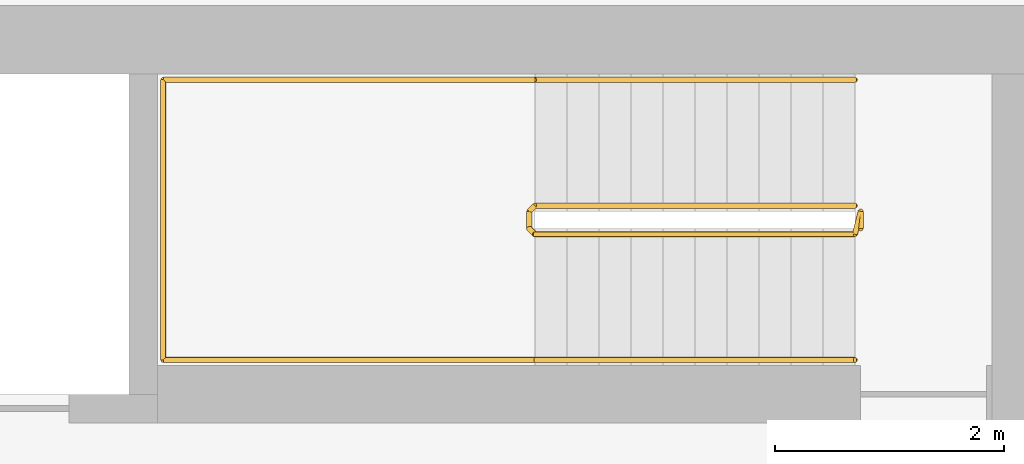
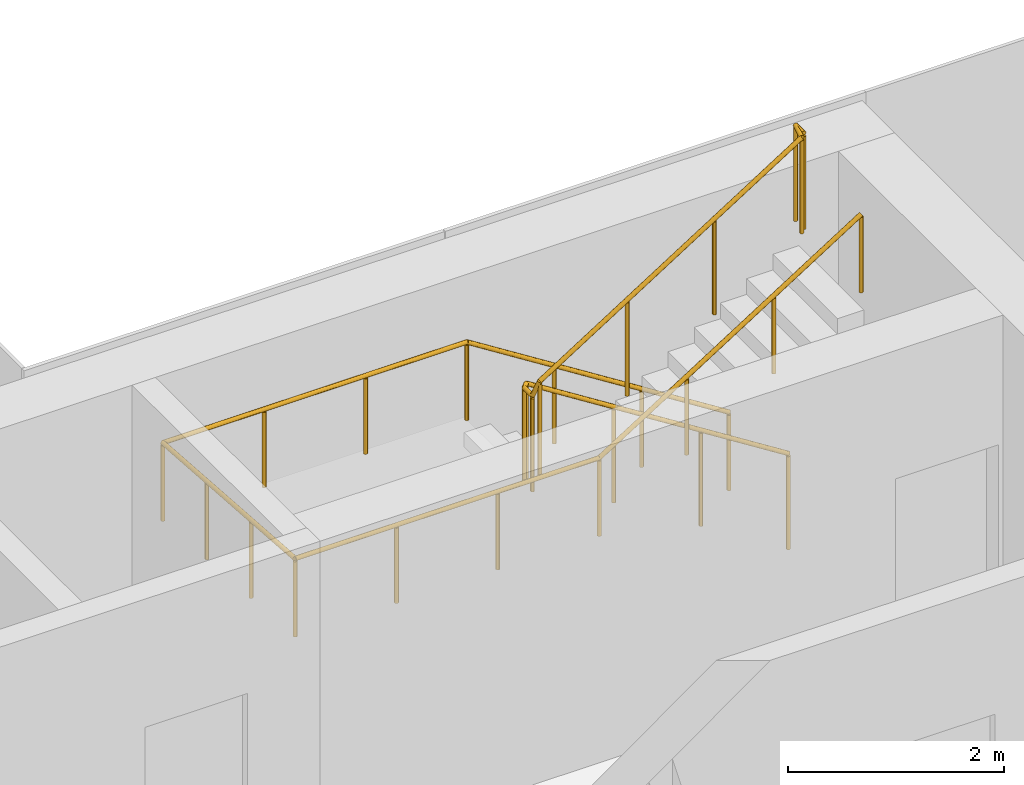
# One storey, part 18 of 18: 2 railings.
"""IFC4 building model written with IfcOpenShell, lengths in metres."""

import ifcopenshell
import ifcopenshell.guid

model = None  # the IFC model being written
_history = None  # IfcOwnerHistory: only IFC2X3 demands one
_inside = {}  # id of a spatial element -> (the spatial element, [elements in it])
_under = {}  # id of a project, library or spatial element -> (it, [spatial elements below it])
_declared = {}  # id of a project -> (the project, [libraries it declares])
_typed = {}  # id of a type object -> (the type object, [elements of that type])
_made_of = {}  # id of a material, layer set ... -> (it, [elements and type objects made of it])


def new_model(schema):
    """Start an empty IFC model of exactly this schema.

    Asked for "IFC4X3", IfcOpenShell would pick the latest addendum, in which some entities
    have other attributes; the version numbers below select the first issue.
    IFC2X3 requires an IfcOwnerHistory on every rooted entity: one is made here for all.
    """
    global model, _history
    if schema == "IFC4X3":
        model = ifcopenshell.file(schema_version=(4, 3, 0, 0))
    else:
        model = ifcopenshell.file(schema=schema)
    _inside.clear()
    _under.clear()
    _declared.clear()
    _typed.clear()
    _made_of.clear()
    _history = None
    if model.schema == "IFC2X3":
        org = make("IfcOrganization", Name="unknown")
        user = make(
            "IfcPersonAndOrganization",
            ThePerson=make("IfcPerson", FamilyName="unknown"),
            TheOrganization=org,
        )
        app = make(
            "IfcApplication",
            ApplicationDeveloper=org,
            Version="unknown",
            ApplicationFullName="unknown",
            ApplicationIdentifier="unknown",
        )
        _history = make(
            "IfcOwnerHistory",
            OwningUser=user,
            OwningApplication=app,
            ChangeAction="ADDED",
            CreationDate=0,
        )
    return model


def make(cls, **values):
    """One entity of the class cls with the attributes given. An attribute that is None is left unset."""
    return model.create_entity(
        cls, **{name: value for name, value in values.items() if value is not None}
    )


def rooted(cls, **values):
    """An entity with a GlobalId (a new one), such as an element, a storey or a relation."""
    return make(cls, GlobalId=ifcopenshell.guid.new(), OwnerHistory=_history, **values)


def si_unit(unit_type, name, prefix=None):
    """IfcSIUnit, for example si_unit("LENGTHUNIT", "METRE", prefix="MILLI")."""
    return make("IfcSIUnit", UnitType=unit_type, Prefix=prefix, Name=name)


def assignment(units):
    """IfcUnitAssignment: the units of a project."""
    return None if units is None else make("IfcUnitAssignment", Units=units)


def point(xyz):
    """IfcCartesianPoint."""
    return None if xyz is None else make("IfcCartesianPoint", Coordinates=xyz)


def direction(xyz):
    """IfcDirection."""
    return None if xyz is None else make("IfcDirection", DirectionRatios=xyz)


def frame(location, z_axis=None, x_axis=None):
    """IfcAxis2Placement3D, a coordinate frame: its origin and axes. An axis left out is left unset."""
    return make(
        "IfcAxis2Placement3D",
        Location=point(location),
        Axis=direction(z_axis),
        RefDirection=direction(x_axis),
    )


def frame_2d(location, x_axis=None):
    """IfcAxis2Placement2D, a coordinate frame in the plane: its origin and x axis."""
    return make(
        "IfcAxis2Placement2D", Location=point(location), RefDirection=direction(x_axis)
    )


def origin():
    """The frame at (0, 0, 0) with its axes left unset."""
    return frame((0.0, 0.0, 0.0))


def origin_2d():
    """The frame at (0, 0) in the plane with its x axis left unset."""
    return frame_2d((0.0, 0.0))


def place(relative_to, where):
    """IfcLocalPlacement: puts the frame where relative to a parent placement (None: the world)."""
    return make(
        "IfcLocalPlacement", PlacementRelTo=relative_to, RelativePlacement=where
    )


def context(
    kind, dimensions, precision=None, world=None, true_north=None, identifier=None
):
    """IfcGeometricRepresentationContext, for example the 3D "Model" context."""
    return make(
        "IfcGeometricRepresentationContext",
        ContextIdentifier=identifier,
        ContextType=kind,
        CoordinateSpaceDimension=dimensions,
        Precision=precision,
        WorldCoordinateSystem=world,
        TrueNorth=true_north,
    )


def subcontext(parent, identifier, kind, view, scale=None):
    """IfcGeometricRepresentationSubContext, for example "Body" below "Model"."""
    return make(
        "IfcGeometricRepresentationSubContext",
        ContextIdentifier=identifier,
        ContextType=kind,
        ParentContext=parent,
        TargetScale=scale,
        TargetView=view,
    )


def project(units=None, contexts=None):
    """IfcProject with its units and contexts."""
    return rooted(
        "IfcProject",
        Name="project",
        RepresentationContexts=contexts,
        UnitsInContext=assignment(units),
    )


def spatial(cls, under=None, at=None, **own):
    """A site, building, storey or space (cls), placed at a placement, below another one or the project."""
    s = rooted(cls, ObjectPlacement=at, **own)
    if under is not None:
        _under.setdefault(under.id(), (under, []))[1].append(s)
    return s


def profile(cls, at=None, kind="AREA", **sizes):
    """A parametric profile (cls). Its sizes go by their IFC names, for example OverallWidth=200.0."""
    return make(cls, ProfileType=kind, Position=at, **sizes)


def circle(**sizes):
    """IfcCircleProfileDef."""
    return profile("IfcCircleProfileDef", **sizes)


def extrude(swept, where, along, depth):
    """IfcExtrudedAreaSolid: the profile swept, set in the frame where, extruded along a direction by depth."""
    return make(
        "IfcExtrudedAreaSolid",
        SweptArea=swept,
        Position=where,
        ExtrudedDirection=direction(along),
        Depth=depth,
    )


def shape(context_of_items, identifier, shape_type, items):
    """IfcShapeRepresentation: the items that make up one representation, for example the "Body"."""
    return make(
        "IfcShapeRepresentation",
        ContextOfItems=context_of_items,
        RepresentationIdentifier=identifier,
        RepresentationType=shape_type,
        Items=items,
    )


def material(Name=None, Category=None):
    """IfcMaterial."""
    return make("IfcMaterial", Name=Name, Category=Category)


def made_of(thing, what):
    """Note that an element or type object is made of a material, layer set ...; save() writes the relation."""
    if what is not None:
        _made_of.setdefault(what.id(), (what, []))[1].append(thing)
    return thing


def type_object(cls, material=None, **own):
    """A type object (cls), such as IfcWallType, which elements share."""
    return made_of(rooted(cls, **own), material)


def element(
    cls,
    number,
    at=None,
    inside=None,
    cuts=None,
    type_object=None,
    material=None,
    context=None,
    identifier="Body",
    shape_type=None,
    held_by="IfcProductDefinitionShape",
    body=None,
    shapes=None,
    **own,
):
    """One element of the class cls, such as IfcWall. Its Tag is "e" and its number.

    at: its placement. inside: the storey or other place that contains it. cuts: it is an
    opening in that element (IfcRelVoidsElement). A single representation is given by context,
    identifier, shape_type and body (its items); several are given by shapes. held_by: the class
    of the entity that holds the representations. save() writes the other relations.
    """
    e = rooted(cls, Tag="e%d" % number, ObjectPlacement=at, **own)
    if body is not None:
        shapes = [shape(context, identifier, shape_type, body)]
    if shapes is not None:
        e.Representation = make(held_by, Representations=shapes)
    if inside is not None:
        _inside.setdefault(inside.id(), (inside, []))[1].append(e)
    if cuts is not None:
        rooted(
            "IfcRelVoidsElement", RelatingBuildingElement=cuts, RelatedOpeningElement=e
        )
    if type_object is not None:
        _typed.setdefault(type_object.id(), (type_object, []))[1].append(e)
    return made_of(e, material)


def aggregate(whole, parts):
    """IfcRelAggregates: a whole, such as a stair, and the parts it consists of."""
    return rooted("IfcRelAggregates", RelatingObject=whole, RelatedObjects=parts)


def save(model, path):
    """Write the relations noted so far, then the file.

    IfcRelAggregates (storeys below a building ...), IfcRelContainedInSpatialStructure (elements
    in a storey), IfcRelDefinesByType, IfcRelAssociatesMaterial and IfcRelDeclares: one each for
    every whole, place, type object, material and project.
    """
    for whole, parts in _under.values():
        aggregate(whole, parts)
    for where, things in _inside.values():
        rooted(
            "IfcRelContainedInSpatialStructure",
            RelatedElements=things,
            RelatingStructure=where,
        )
    for kind, things in _typed.values():
        rooted("IfcRelDefinesByType", RelatedObjects=things, RelatingType=kind)
    for what, things in _made_of.values():
        rooted("IfcRelAssociatesMaterial", RelatedObjects=things, RelatingMaterial=what)
    for by, libraries in _declared.values():
        rooted("IfcRelDeclares", RelatingContext=by, RelatedDefinitions=libraries)
    model.write(path)


model = new_model("IFC4")

# Units and contexts
model_context = context("Model", 3, precision=1e-05, world=origin(), true_north=direction((0.0, 1.0)))
body_context = subcontext(model_context, "Body", "Model", "MODEL_VIEW")
ifc_project = project(units=[si_unit("LENGTHUNIT", "METRE"), si_unit("AREAUNIT", "SQUARE_METRE"), si_unit("VOLUMEUNIT", "CUBIC_METRE"), si_unit("PLANEANGLEUNIT", "RADIAN"), si_unit("MASSUNIT", "GRAM", prefix="KILO")], contexts=[model_context])

# Site, building, storey
site_placement = place(None, origin())
site = spatial("IfcSite", under=ifc_project, at=site_placement, CompositionType="ELEMENT")
building_placement = place(site_placement, origin())
building = spatial("IfcBuilding", under=site, at=building_placement, Name="Shamsa Quay Exchange Towers", CompositionType="ELEMENT")
storey_placement = place(building_placement, frame((0.0, 0.0, 113.10009765625)))
storey = spatial("IfcBuildingStorey", under=building, at=storey_placement, Name="L26", CompositionType="ELEMENT", Elevation=113.10009765625)

# Railings
ifc_material = material(Name="Stainless steel", Category="steel")
railing_type_1 = type_object("IfcRailingType", Name="STAIR GUARD 1100", PredefinedType="GUARDRAIL", material=ifc_material)
railing_1_placement = place(storey_placement, frame((52.10009765625, 4.89990234375, 0.17724609375)))
element("IfcRailing", 1, at=railing_1_placement, inside=storey, type_object=railing_type_1, Name="L26 ST6 stair guard 1", PredefinedType="GUARDRAIL", context=body_context, shape_type="SweptSolid", body=[
    extrude(circle(Radius=0.02392578125, at=origin_2d()), frame((0.0, 0.0, 1.076171875), z_axis=(-0.844908973607, 0.0, 0.534910110503), x_axis=(0.0, -1.0, 0.0)), (0.0, 0.0, 1.0), 3.31396484375),
    extrude(circle(Radius=0.02392578125, at=origin_2d()), frame((-2.800048828125, 0.0, 2.8486328125), z_axis=(-0.708833529934, -0.705375805398, 0.0), x_axis=(0.705375805398, -0.708833529934, 0.0)), (0.0, 0.0, 1.0), 0.070556640625),
    extrude(circle(Radius=0.02392578125, at=origin_2d()), frame((-2.85009765625, -0.0498046875, 2.8486328125), z_axis=(0.0, -1.0, 0.0), x_axis=(1.0, 0.0, 0.0)), (0.0, 0.0, 1.0), 0.150146484375),
    extrude(circle(Radius=0.02392578125, at=origin_2d()), frame((-2.85009765625, -0.199951171875, 2.8486328125), z_axis=(0.262233686654, -0.262233686654, 0.928691007369), x_axis=(0.707106781187, 0.707106781187, 0.0)), (0.0, 0.0, 1.0), 0.19091796875),
    extrude(circle(Radius=0.02392578125, at=origin_2d()), frame((-2.800048828125, -0.25, 3.02587890625), z_axis=(0.844908973607, 0.0, 0.534910110503), x_axis=(0.0, 1.0, 0.0)), (0.0, 0.0, 1.0), 3.31396484375),
    extrude(circle(Radius=0.02392578125, at=origin_2d()), frame((0.0, -0.25, 4.798828125), z_axis=(0.24142163986, 0.970420317083, 0.0), x_axis=(-0.970420317083, 0.24142163986, 0.0)), (0.0, 0.0, 1.0), 0.206298828125),
    extrude(circle(Radius=0.02392578125, at=origin_2d()), frame((0.0498046875, -0.0498046875, 4.798828125), z_axis=(0.0, -1.0, 0.0), x_axis=(1.0, 0.0, 0.0)), (0.0, 0.0, 1.0), 0.150146484375),
    extrude(circle(Radius=0.02099609375, at=origin_2d()), origin(), (0.0, 0.0, 1.0), 1.052001953125),
    extrude(circle(Radius=0.02099609375, at=origin_2d()), frame((-0.933349609375, 0.0, 0.5908203125)), (0.0, 0.0, 1.0), 1.052001953125),
    extrude(circle(Radius=0.02099609375, at=origin_2d()), frame((-1.86669921875, 0.0, 1.181884765625)), (0.0, 0.0, 1.0), 1.052001953125),
    extrude(circle(Radius=0.02099609375, at=origin_2d()), frame((-2.800048828125, 0.0, 1.772705078125)), (0.0, 0.0, 1.0), 1.052001953125),
    extrude(circle(Radius=0.02099609375, at=origin_2d()), frame((-2.85009765625, -0.0498046875, 1.772705078125)), (0.0, 0.0, 1.0), 1.052001953125),
    extrude(circle(Radius=0.02099609375, at=origin_2d()), frame((-2.85009765625, -0.199951171875, 1.772705078125)), (0.0, 0.0, 1.0), 1.052001953125),
    extrude(circle(Radius=0.02099609375, at=origin_2d()), frame((-2.800048828125, -0.25, 1.949951171875)), (0.0, 0.0, 1.0), 1.052001953125),
    extrude(circle(Radius=0.02099609375, at=origin_2d()), frame((-1.86669921875, -0.25, 2.540771484375)), (0.0, 0.0, 1.0), 1.052001953125),
    extrude(circle(Radius=0.02099609375, at=origin_2d()), frame((-0.933349609375, -0.25, 3.1318359375)), (0.0, 0.0, 1.0), 1.052001953125),
    extrude(circle(Radius=0.02099609375, at=origin_2d()), frame((0.0, -0.25, 3.72265625)), (0.0, 0.0, 1.0), 1.052001953125),
    extrude(circle(Radius=0.02099609375, at=origin_2d()), frame((0.0498046875, -0.0498046875, 3.72265625)), (0.0, 0.0, 1.0), 1.052001953125),
    extrude(circle(Radius=0.02099609375, at=origin_2d()), frame((0.0498046875, -0.199951171875, 3.72265625)), (0.0, 0.0, 1.0), 1.052001953125),
])
railing_type_2 = type_object("IfcRailingType", Name="STAIR HANDRAIL 900", PredefinedType="HANDRAIL", material=ifc_material)
railing_2_placement = place(storey_placement, frame((52.10009765625, 6.0, 0.17724609375)))
element("IfcRailing", 2, at=railing_2_placement, inside=storey, type_object=railing_type_2, Name="L26 ST6 stair handrail 1", PredefinedType="HANDRAIL", context=body_context, shape_type="SweptSolid", body=[
    extrude(circle(Radius=0.02392578125, at=origin_2d()), frame((0.0, 0.0, 0.8759765625), z_axis=(-0.844908973607, 0.0, 0.534910110503), x_axis=(0.0, -1.0, 0.0)), (0.0, 0.0, 1.0), 3.31396484375),
    extrude(circle(Radius=0.02392578125, at=origin_2d()), frame((-2.800048828125, 0.0, 2.6484375), z_axis=(-1.0, 0.0, 0.0), x_axis=(0.0, -1.0, 0.0)), (0.0, 0.0, 1.0), 3.25),
    extrude(circle(Radius=0.02392578125, at=origin_2d()), frame((-6.050048828125, 0.0, 2.6484375), z_axis=(0.0, -0.997393199914, 0.07215819264), x_axis=(1.0, 0.0, 0.0)), (0.0, 0.0, 1.0), 2.456298828125),
    extrude(circle(Radius=0.02392578125, at=origin_2d()), frame((-6.050048828125, -2.449951171875, 2.82568359375), z_axis=(1.0, 0.0, 0.0), x_axis=(0.0, 1.0, 0.0)), (0.0, 0.0, 1.0), 3.25),
    extrude(circle(Radius=0.02392578125, at=origin_2d()), frame((-2.800048828125, -2.449951171875, 2.82568359375), z_axis=(0.844908973607, 0.0, 0.534910110503), x_axis=(0.0, 1.0, 0.0)), (0.0, 0.0, 1.0), 3.31396484375),
    extrude(circle(Radius=0.02099609375, at=origin_2d()), origin(), (0.0, 0.0, 1.0), 0.851806640625),
    extrude(circle(Radius=0.02099609375, at=origin_2d()), frame((-0.933349609375, 0.0, 0.5908203125)), (0.0, 0.0, 1.0), 0.851806640625),
    extrude(circle(Radius=0.02099609375, at=origin_2d()), frame((-1.86669921875, 0.0, 1.181884765625)), (0.0, 0.0, 1.0), 0.851806640625),
    extrude(circle(Radius=0.02099609375, at=origin_2d()), frame((-2.800048828125, 0.0, 1.772705078125)), (0.0, 0.0, 1.0), 0.851806640625),
    extrude(circle(Radius=0.02099609375, at=origin_2d()), frame((-3.88330078125, 0.0, 1.772705078125)), (0.0, 0.0, 1.0), 0.851806640625),
    extrude(circle(Radius=0.02099609375, at=origin_2d()), frame((-4.966796875, 0.0, 1.772705078125)), (0.0, 0.0, 1.0), 0.851806640625),
    extrude(circle(Radius=0.02099609375, at=origin_2d()), frame((-6.050048828125, 0.0, 1.772705078125)), (0.0, 0.0, 1.0), 0.851806640625),
    extrude(circle(Radius=0.02099609375, at=origin_2d()), frame((-6.050048828125, -0.816650390625, 1.831787109375)), (0.0, 0.0, 1.0), 0.851806640625),
    extrude(circle(Radius=0.02099609375, at=origin_2d()), frame((-6.050048828125, -1.63330078125, 1.890869140625)), (0.0, 0.0, 1.0), 0.851806640625),
    extrude(circle(Radius=0.02099609375, at=origin_2d()), frame((-6.050048828125, -2.449951171875, 1.949951171875)), (0.0, 0.0, 1.0), 0.851806640625),
    extrude(circle(Radius=0.02099609375, at=origin_2d()), frame((-4.966796875, -2.449951171875, 1.949951171875)), (0.0, 0.0, 1.0), 0.851806640625),
    extrude(circle(Radius=0.02099609375, at=origin_2d()), frame((-3.88330078125, -2.449951171875, 1.949951171875)), (0.0, 0.0, 1.0), 0.851806640625),
    extrude(circle(Radius=0.02099609375, at=origin_2d()), frame((-2.800048828125, -2.449951171875, 1.949951171875)), (0.0, 0.0, 1.0), 0.851806640625),
    extrude(circle(Radius=0.02099609375, at=origin_2d()), frame((-1.86669921875, -2.449951171875, 2.540771484375)), (0.0, 0.0, 1.0), 0.851806640625),
    extrude(circle(Radius=0.02099609375, at=origin_2d()), frame((-0.933349609375, -2.449951171875, 3.1318359375)), (0.0, 0.0, 1.0), 0.851806640625),
    extrude(circle(Radius=0.02099609375, at=origin_2d()), frame((0.0, -2.449951171875, 3.72265625)), (0.0, 0.0, 1.0), 0.851806640625),
])

save(model, "model.ifc")
